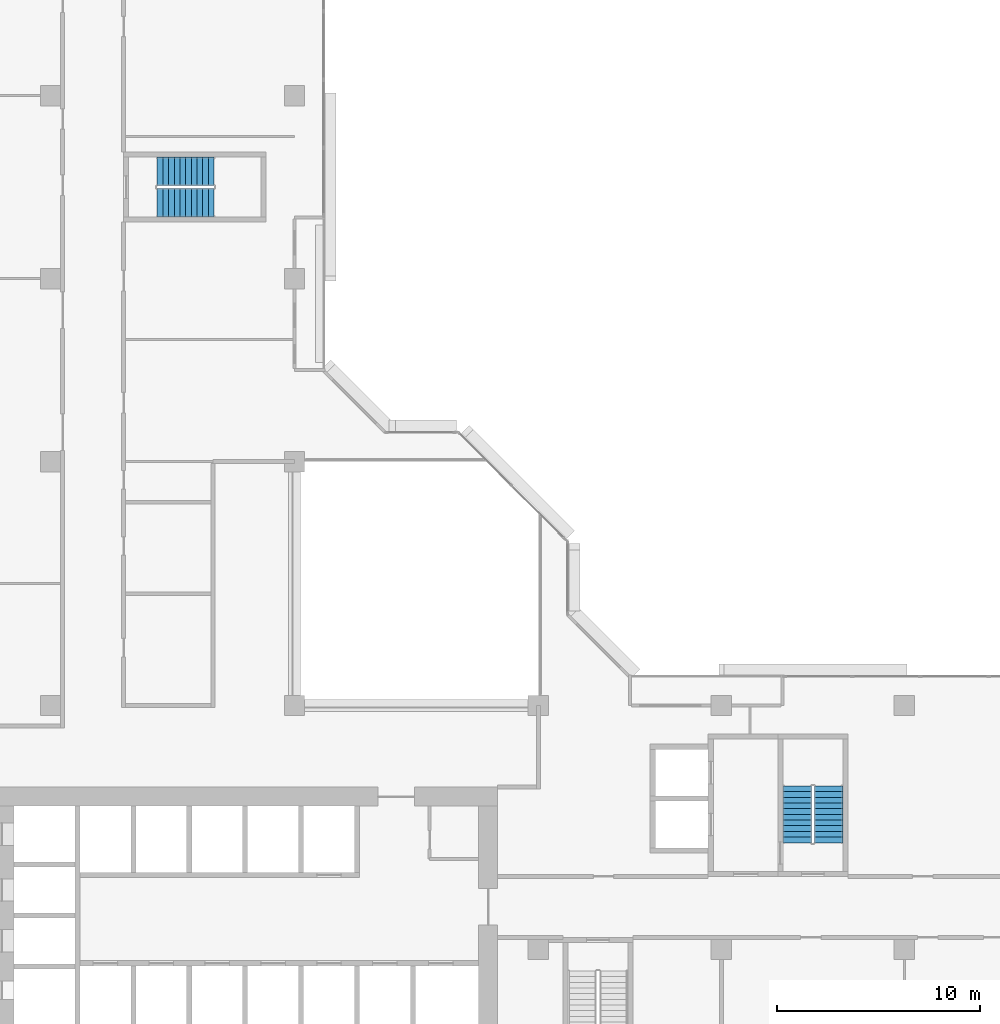
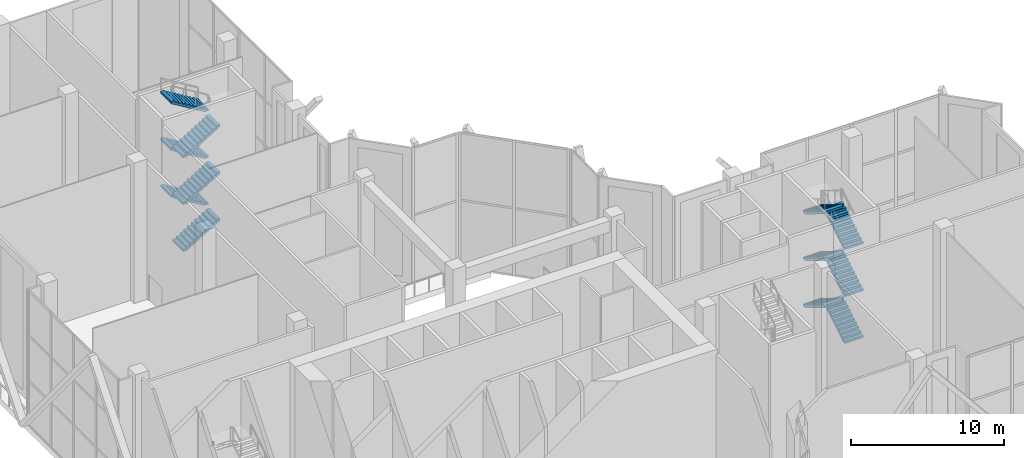
# One storey, part 17 of 21: 12 stair flights, 2 elements without a shape of their own.
"""IFC4 building model written with IfcOpenShell, lengths in metres."""

from ifc_helpers import new_model, si_unit, direction, frame, origin, place, context, subcontext, project, spatial, polyline, outline, extrude, material, type_object, element, aggregate, save


model = new_model("IFC4")

# Units and contexts
model_context = context("Model", 3, precision=1e-05, world=origin(), true_north=direction((0.0, 1.0)))
body_context = subcontext(model_context, "Body", "Model", "MODEL_VIEW")
ifc_project = project(units=[si_unit("LENGTHUNIT", "METRE"), si_unit("AREAUNIT", "SQUARE_METRE"), si_unit("VOLUMEUNIT", "CUBIC_METRE"), si_unit("PLANEANGLEUNIT", "RADIAN"), si_unit("MASSUNIT", "GRAM", prefix="KILO")], contexts=[model_context])

# Site, building, storey
site_placement = place(None, origin())
site = spatial("IfcSite", under=ifc_project, at=site_placement, CompositionType="ELEMENT")
building_placement = place(site_placement, origin())
building = spatial("IfcBuilding", under=site, at=building_placement, Name="Chenar Terraces", CompositionType="ELEMENT")
storey_placement = place(building_placement, frame((0.0, 0.0, 146.14990234375)))
storey = spatial("IfcBuildingStorey", under=building, at=storey_placement, Name="L34", CompositionType="ELEMENT", Elevation=146.14990234375)

# Stair, stair flights
ifc_material_1 = material(Name="Reinforced concrete C40/50", Category="concrete")
stair_type = type_object("IfcStairType", Name="Core stair 1400 half-turn", PredefinedType="HALF_TURN_STAIR", material=ifc_material_1)
placement = place(storey_placement, origin())
stair_1 = element("IfcStair", 1, at=placement, inside=storey, type_object=stair_type, Name="L34 Stair 3", PredefinedType="HALF_TURN_STAIR")
ifc_material_2 = material(Name="Reinforced concrete C40/50", Category="concrete")
stair_flight_type = type_object("IfcStairFlightType", Name="Core stair flight 1400", PredefinedType="STRAIGHT", material=ifc_material_2)
stair_flight_1_placement = place(storey_placement, frame((50.27490234375, 17.25, 0.0), z_axis=(0.0, 0.0, 1.0), x_axis=(0.0, 1.0, 0.0)))
stair_flight_1 = element("IfcStairFlight", 2, at=stair_flight_1_placement, type_object=stair_flight_type, Name="ST3 flight 1", NumberOfRisers=11, NumberOfTreads=10, PredefinedType="STRAIGHT", RiserHeight=0.170454545, TreadLength=0.28, context=body_context, shape_type="SweptSolid", body=[
    extrude(outline(polyline([(-0.0029296875, 0.0), (-0.0029296875, 0.17041015625), (0.0, 0.17041015625), (0.280029296875, 0.17041015625), (0.280029296875, 0.3408203125), (0.56005859375, 0.3408203125), (0.56005859375, 0.511474609375), (0.840087890625, 0.511474609375), (0.840087890625, 0.681884765625), (1.1201171875, 0.681884765625), (1.1201171875, 0.852294921875), (1.39990234375, 0.852294921875), (1.39990234375, 1.022705078125), (1.679931640625, 1.022705078125), (1.679931640625, 1.193115234375), (1.9599609375, 1.193115234375), (1.9599609375, 1.363525390625), (2.239990234375, 1.363525390625), (2.239990234375, 1.5341796875), (2.52001953125, 1.5341796875), (2.52001953125, 1.70458984375), (2.800048828125, 1.70458984375), (2.802978515625, 1.70458984375), (2.802978515625, 1.529052734375), (2.800048828125, 1.529052734375), (0.288330078125, 0.0), (-0.0029296875, 0.0)])), frame((0.0, 0.699951171875, 0.0), z_axis=(0.0, -1.0, 0.0), x_axis=(1.0, 0.0, 0.0)), (0.0, 0.0, 1.0), 1.39990234375),
])
stair_flight_2_placement = place(storey_placement, frame((48.72509765625, 20.050048828125, 1.875), z_axis=(0.0, 0.0, 1.0), x_axis=(0.0, -1.0, 0.0)))
stair_flight_2 = element("IfcStairFlight", 3, at=stair_flight_2_placement, type_object=stair_flight_type, Name="ST3 flight 2", NumberOfRisers=11, NumberOfTreads=10, PredefinedType="STRAIGHT", RiserHeight=0.170454545, TreadLength=0.28, context=body_context, shape_type="SweptSolid", body=[
    extrude(outline(polyline([(-0.0029296875, 0.0), (-0.0029296875, 0.17041015625), (0.0, 0.17041015625), (0.280029296875, 0.17041015625), (0.280029296875, 0.3408203125), (0.56005859375, 0.3408203125), (0.56005859375, 0.511474609375), (0.840087890625, 0.511474609375), (0.840087890625, 0.681884765625), (1.1201171875, 0.681884765625), (1.1201171875, 0.852294921875), (1.39990234375, 0.852294921875), (1.39990234375, 1.022705078125), (1.679931640625, 1.022705078125), (1.679931640625, 1.193115234375), (1.9599609375, 1.193115234375), (1.9599609375, 1.363525390625), (2.239990234375, 1.363525390625), (2.239990234375, 1.5341796875), (2.52001953125, 1.5341796875), (2.52001953125, 1.70458984375), (2.800048828125, 1.70458984375), (2.802978515625, 1.70458984375), (2.802978515625, 1.529052734375), (2.800048828125, 1.529052734375), (0.288330078125, 0.0), (-0.0029296875, 0.0)])), frame((0.0, 0.699951171875, 0.0), z_axis=(0.0, -1.0, 0.0), x_axis=(1.0, 0.0, 0.0)), (0.0, 0.0, 1.0), 1.39990234375),
])
stair_flight_3_placement = place(storey_placement, frame((50.27490234375, 17.25, 3.75), z_axis=(0.0, 0.0, 1.0), x_axis=(0.0, 1.0, 0.0)))
stair_flight_3 = element("IfcStairFlight", 4, at=stair_flight_3_placement, type_object=stair_flight_type, Name="ST3 flight 3", NumberOfRisers=11, NumberOfTreads=10, PredefinedType="STRAIGHT", RiserHeight=0.170454545, TreadLength=0.28, context=body_context, shape_type="SweptSolid", body=[
    extrude(outline(polyline([(-0.0029296875, 0.0), (-0.0029296875, 0.17041015625), (0.0, 0.17041015625), (0.280029296875, 0.17041015625), (0.280029296875, 0.3408203125), (0.56005859375, 0.3408203125), (0.56005859375, 0.511474609375), (0.840087890625, 0.511474609375), (0.840087890625, 0.681884765625), (1.1201171875, 0.681884765625), (1.1201171875, 0.852294921875), (1.39990234375, 0.852294921875), (1.39990234375, 1.022705078125), (1.679931640625, 1.022705078125), (1.679931640625, 1.193115234375), (1.9599609375, 1.193115234375), (1.9599609375, 1.363525390625), (2.239990234375, 1.363525390625), (2.239990234375, 1.5341796875), (2.52001953125, 1.5341796875), (2.52001953125, 1.70458984375), (2.800048828125, 1.70458984375), (2.802978515625, 1.70458984375), (2.802978515625, 1.529052734375), (2.800048828125, 1.529052734375), (0.288330078125, 0.0), (-0.0029296875, 0.0)])), frame((0.0, 0.699951171875, 0.0), z_axis=(0.0, -1.0, 0.0), x_axis=(1.0, 0.0, 0.0)), (0.0, 0.0, 1.0), 1.39990234375),
])
stair_flight_4_placement = place(storey_placement, frame((48.72509765625, 20.050048828125, 5.625), z_axis=(0.0, 0.0, 1.0), x_axis=(0.0, -1.0, 0.0)))
stair_flight_4 = element("IfcStairFlight", 5, at=stair_flight_4_placement, type_object=stair_flight_type, Name="ST3 flight 4", NumberOfRisers=11, NumberOfTreads=10, PredefinedType="STRAIGHT", RiserHeight=0.170454545, TreadLength=0.28, context=body_context, shape_type="SweptSolid", body=[
    extrude(outline(polyline([(-0.0029296875, 0.0), (-0.0029296875, 0.17041015625), (0.0, 0.17041015625), (0.280029296875, 0.17041015625), (0.280029296875, 0.3408203125), (0.56005859375, 0.3408203125), (0.56005859375, 0.511474609375), (0.840087890625, 0.511474609375), (0.840087890625, 0.681884765625), (1.1201171875, 0.681884765625), (1.1201171875, 0.852294921875), (1.39990234375, 0.852294921875), (1.39990234375, 1.022705078125), (1.679931640625, 1.022705078125), (1.679931640625, 1.193115234375), (1.9599609375, 1.193115234375), (1.9599609375, 1.363525390625), (2.239990234375, 1.363525390625), (2.239990234375, 1.5341796875), (2.52001953125, 1.5341796875), (2.52001953125, 1.70458984375), (2.800048828125, 1.70458984375), (2.802978515625, 1.70458984375), (2.802978515625, 1.529052734375), (2.800048828125, 1.529052734375), (0.288330078125, 0.0), (-0.0029296875, 0.0)])), frame((0.0, 0.699951171875, 0.0), z_axis=(0.0, -1.0, 0.0), x_axis=(1.0, 0.0, 0.0)), (0.0, 0.0, 1.0), 1.39990234375),
])
stair_flight_5_placement = place(storey_placement, frame((50.27490234375, 17.25, 7.5), z_axis=(0.0, 0.0, 1.0), x_axis=(0.0, 1.0, 0.0)))
stair_flight_5 = element("IfcStairFlight", 6, at=stair_flight_5_placement, type_object=stair_flight_type, Name="ST3 flight 5", NumberOfRisers=11, NumberOfTreads=10, PredefinedType="STRAIGHT", RiserHeight=0.170454545, TreadLength=0.28, context=body_context, shape_type="SweptSolid", body=[
    extrude(outline(polyline([(-0.0029296875, 0.0), (-0.0029296875, 0.17041015625), (0.0, 0.17041015625), (0.280029296875, 0.17041015625), (0.280029296875, 0.3408203125), (0.56005859375, 0.3408203125), (0.56005859375, 0.511474609375), (0.840087890625, 0.511474609375), (0.840087890625, 0.681884765625), (1.1201171875, 0.681884765625), (1.1201171875, 0.852294921875), (1.39990234375, 0.852294921875), (1.39990234375, 1.022705078125), (1.679931640625, 1.022705078125), (1.679931640625, 1.193115234375), (1.9599609375, 1.193115234375), (1.9599609375, 1.363525390625), (2.239990234375, 1.363525390625), (2.239990234375, 1.5341796875), (2.52001953125, 1.5341796875), (2.52001953125, 1.70458984375), (2.800048828125, 1.70458984375), (2.802978515625, 1.70458984375), (2.802978515625, 1.529052734375), (2.800048828125, 1.529052734375), (0.288330078125, 0.0), (-0.0029296875, 0.0)])), frame((0.0, 0.699951171875, 0.0), z_axis=(0.0, -1.0, 0.0), x_axis=(1.0, 0.0, 0.0)), (0.0, 0.0, 1.0), 1.39990234375),
])
stair_flight_6_placement = place(storey_placement, frame((48.72509765625, 20.050048828125, 9.375), z_axis=(0.0, 0.0, 1.0), x_axis=(0.0, -1.0, 0.0)))
stair_flight_6 = element("IfcStairFlight", 7, at=stair_flight_6_placement, type_object=stair_flight_type, Name="ST3 flight 6", NumberOfRisers=11, NumberOfTreads=10, PredefinedType="STRAIGHT", RiserHeight=0.170454545, TreadLength=0.28, context=body_context, shape_type="SweptSolid", body=[
    extrude(outline(polyline([(-0.0029296875, 0.0), (-0.0029296875, 0.17041015625), (0.0, 0.17041015625), (0.280029296875, 0.17041015625), (0.280029296875, 0.3408203125), (0.56005859375, 0.3408203125), (0.56005859375, 0.511474609375), (0.840087890625, 0.511474609375), (0.840087890625, 0.681884765625), (1.1201171875, 0.681884765625), (1.1201171875, 0.852294921875), (1.39990234375, 0.852294921875), (1.39990234375, 1.022705078125), (1.679931640625, 1.022705078125), (1.679931640625, 1.193115234375), (1.9599609375, 1.193115234375), (1.9599609375, 1.363525390625), (2.239990234375, 1.363525390625), (2.239990234375, 1.5341796875), (2.52001953125, 1.5341796875), (2.52001953125, 1.70458984375), (2.800048828125, 1.70458984375), (2.802978515625, 1.70458984375), (2.802978515625, 1.529052734375), (2.800048828125, 1.529052734375), (0.288330078125, 0.0), (-0.0029296875, 0.0)])), frame((0.0, 0.699951171875, 0.0), z_axis=(0.0, -1.0, 0.0), x_axis=(1.0, 0.0, 0.0)), (0.0, 0.0, 1.0), 1.39990234375),
])
aggregate(stair_1, [stair_flight_1, stair_flight_2, stair_flight_3, stair_flight_4, stair_flight_5, stair_flight_6])

stair_2 = element("IfcStair", 8, at=placement, inside=storey, type_object=stair_type, Name="L34 Stair 4", PredefinedType="HALF_TURN_STAIR")
stair_flight_7_placement = place(storey_placement, frame((17.25, 48.72509765625, 0.0), z_axis=(0.0, 0.0, 1.0), x_axis=(1.0, 0.0, 0.0)))
stair_flight_7 = element("IfcStairFlight", 9, at=stair_flight_7_placement, type_object=stair_flight_type, Name="ST4 flight 1", NumberOfRisers=11, NumberOfTreads=10, PredefinedType="STRAIGHT", RiserHeight=0.170454545, TreadLength=0.28, context=body_context, shape_type="SweptSolid", body=[
    extrude(outline(polyline([(-0.0029296875, 0.0), (-0.0029296875, 0.17041015625), (0.0, 0.17041015625), (0.280029296875, 0.17041015625), (0.280029296875, 0.3408203125), (0.56005859375, 0.3408203125), (0.56005859375, 0.511474609375), (0.840087890625, 0.511474609375), (0.840087890625, 0.681884765625), (1.1201171875, 0.681884765625), (1.1201171875, 0.852294921875), (1.39990234375, 0.852294921875), (1.39990234375, 1.022705078125), (1.679931640625, 1.022705078125), (1.679931640625, 1.193115234375), (1.9599609375, 1.193115234375), (1.9599609375, 1.363525390625), (2.239990234375, 1.363525390625), (2.239990234375, 1.5341796875), (2.52001953125, 1.5341796875), (2.52001953125, 1.70458984375), (2.800048828125, 1.70458984375), (2.802978515625, 1.70458984375), (2.802978515625, 1.529052734375), (2.800048828125, 1.529052734375), (0.288330078125, 0.0), (-0.0029296875, 0.0)])), frame((0.0, 0.699951171875, 0.0), z_axis=(0.0, -1.0, 0.0), x_axis=(1.0, 0.0, 0.0)), (0.0, 0.0, 1.0), 1.39990234375),
])
stair_flight_8_placement = place(storey_placement, frame((20.050048828125, 50.27490234375, 1.875), z_axis=(0.0, 0.0, 1.0), x_axis=(-1.0, 0.0, 0.0)))
stair_flight_8 = element("IfcStairFlight", 10, at=stair_flight_8_placement, type_object=stair_flight_type, Name="ST4 flight 2", NumberOfRisers=11, NumberOfTreads=10, PredefinedType="STRAIGHT", RiserHeight=0.170454545, TreadLength=0.28, context=body_context, shape_type="SweptSolid", body=[
    extrude(outline(polyline([(-0.0029296875, 0.0), (-0.0029296875, 0.17041015625), (0.0, 0.17041015625), (0.280029296875, 0.17041015625), (0.280029296875, 0.3408203125), (0.56005859375, 0.3408203125), (0.56005859375, 0.511474609375), (0.840087890625, 0.511474609375), (0.840087890625, 0.681884765625), (1.1201171875, 0.681884765625), (1.1201171875, 0.852294921875), (1.39990234375, 0.852294921875), (1.39990234375, 1.022705078125), (1.679931640625, 1.022705078125), (1.679931640625, 1.193115234375), (1.9599609375, 1.193115234375), (1.9599609375, 1.363525390625), (2.239990234375, 1.363525390625), (2.239990234375, 1.5341796875), (2.52001953125, 1.5341796875), (2.52001953125, 1.70458984375), (2.800048828125, 1.70458984375), (2.802978515625, 1.70458984375), (2.802978515625, 1.529052734375), (2.800048828125, 1.529052734375), (0.288330078125, 0.0), (-0.0029296875, 0.0)])), frame((0.0, 0.699951171875, 0.0), z_axis=(0.0, -1.0, 0.0), x_axis=(1.0, 0.0, 0.0)), (0.0, 0.0, 1.0), 1.39990234375),
])
stair_flight_9_placement = place(storey_placement, frame((17.25, 48.72509765625, 3.75), z_axis=(0.0, 0.0, 1.0), x_axis=(1.0, 0.0, 0.0)))
stair_flight_9 = element("IfcStairFlight", 11, at=stair_flight_9_placement, type_object=stair_flight_type, Name="ST4 flight 3", NumberOfRisers=11, NumberOfTreads=10, PredefinedType="STRAIGHT", RiserHeight=0.170454545, TreadLength=0.28, context=body_context, shape_type="SweptSolid", body=[
    extrude(outline(polyline([(-0.0029296875, 0.0), (-0.0029296875, 0.17041015625), (0.0, 0.17041015625), (0.280029296875, 0.17041015625), (0.280029296875, 0.3408203125), (0.56005859375, 0.3408203125), (0.56005859375, 0.511474609375), (0.840087890625, 0.511474609375), (0.840087890625, 0.681884765625), (1.1201171875, 0.681884765625), (1.1201171875, 0.852294921875), (1.39990234375, 0.852294921875), (1.39990234375, 1.022705078125), (1.679931640625, 1.022705078125), (1.679931640625, 1.193115234375), (1.9599609375, 1.193115234375), (1.9599609375, 1.363525390625), (2.239990234375, 1.363525390625), (2.239990234375, 1.5341796875), (2.52001953125, 1.5341796875), (2.52001953125, 1.70458984375), (2.800048828125, 1.70458984375), (2.802978515625, 1.70458984375), (2.802978515625, 1.529052734375), (2.800048828125, 1.529052734375), (0.288330078125, 0.0), (-0.0029296875, 0.0)])), frame((0.0, 0.699951171875, 0.0), z_axis=(0.0, -1.0, 0.0), x_axis=(1.0, 0.0, 0.0)), (0.0, 0.0, 1.0), 1.39990234375),
])
stair_flight_10_placement = place(storey_placement, frame((20.050048828125, 50.27490234375, 5.625), z_axis=(0.0, 0.0, 1.0), x_axis=(-1.0, 0.0, 0.0)))
stair_flight_10 = element("IfcStairFlight", 12, at=stair_flight_10_placement, type_object=stair_flight_type, Name="ST4 flight 4", NumberOfRisers=11, NumberOfTreads=10, PredefinedType="STRAIGHT", RiserHeight=0.170454545, TreadLength=0.28, context=body_context, shape_type="SweptSolid", body=[
    extrude(outline(polyline([(-0.0029296875, 0.0), (-0.0029296875, 0.17041015625), (0.0, 0.17041015625), (0.280029296875, 0.17041015625), (0.280029296875, 0.3408203125), (0.56005859375, 0.3408203125), (0.56005859375, 0.511474609375), (0.840087890625, 0.511474609375), (0.840087890625, 0.681884765625), (1.1201171875, 0.681884765625), (1.1201171875, 0.852294921875), (1.39990234375, 0.852294921875), (1.39990234375, 1.022705078125), (1.679931640625, 1.022705078125), (1.679931640625, 1.193115234375), (1.9599609375, 1.193115234375), (1.9599609375, 1.363525390625), (2.239990234375, 1.363525390625), (2.239990234375, 1.5341796875), (2.52001953125, 1.5341796875), (2.52001953125, 1.70458984375), (2.800048828125, 1.70458984375), (2.802978515625, 1.70458984375), (2.802978515625, 1.529052734375), (2.800048828125, 1.529052734375), (0.288330078125, 0.0), (-0.0029296875, 0.0)])), frame((0.0, 0.699951171875, 0.0), z_axis=(0.0, -1.0, 0.0), x_axis=(1.0, 0.0, 0.0)), (0.0, 0.0, 1.0), 1.39990234375),
])
stair_flight_11_placement = place(storey_placement, frame((17.25, 48.72509765625, 7.5), z_axis=(0.0, 0.0, 1.0), x_axis=(1.0, 0.0, 0.0)))
stair_flight_11 = element("IfcStairFlight", 13, at=stair_flight_11_placement, type_object=stair_flight_type, Name="ST4 flight 5", NumberOfRisers=11, NumberOfTreads=10, PredefinedType="STRAIGHT", RiserHeight=0.170454545, TreadLength=0.28, context=body_context, shape_type="SweptSolid", body=[
    extrude(outline(polyline([(-0.0029296875, 0.0), (-0.0029296875, 0.17041015625), (0.0, 0.17041015625), (0.280029296875, 0.17041015625), (0.280029296875, 0.3408203125), (0.56005859375, 0.3408203125), (0.56005859375, 0.511474609375), (0.840087890625, 0.511474609375), (0.840087890625, 0.681884765625), (1.1201171875, 0.681884765625), (1.1201171875, 0.852294921875), (1.39990234375, 0.852294921875), (1.39990234375, 1.022705078125), (1.679931640625, 1.022705078125), (1.679931640625, 1.193115234375), (1.9599609375, 1.193115234375), (1.9599609375, 1.363525390625), (2.239990234375, 1.363525390625), (2.239990234375, 1.5341796875), (2.52001953125, 1.5341796875), (2.52001953125, 1.70458984375), (2.800048828125, 1.70458984375), (2.802978515625, 1.70458984375), (2.802978515625, 1.529052734375), (2.800048828125, 1.529052734375), (0.288330078125, 0.0), (-0.0029296875, 0.0)])), frame((0.0, 0.699951171875, 0.0), z_axis=(0.0, -1.0, 0.0), x_axis=(1.0, 0.0, 0.0)), (0.0, 0.0, 1.0), 1.39990234375),
])
stair_flight_12_placement = place(storey_placement, frame((20.050048828125, 50.27490234375, 9.375), z_axis=(0.0, 0.0, 1.0), x_axis=(-1.0, 0.0, 0.0)))
stair_flight_12 = element("IfcStairFlight", 14, at=stair_flight_12_placement, type_object=stair_flight_type, Name="ST4 flight 6", NumberOfRisers=11, NumberOfTreads=10, PredefinedType="STRAIGHT", RiserHeight=0.170454545, TreadLength=0.28, context=body_context, shape_type="SweptSolid", body=[
    extrude(outline(polyline([(-0.0029296875, 0.0), (-0.0029296875, 0.17041015625), (0.0, 0.17041015625), (0.280029296875, 0.17041015625), (0.280029296875, 0.3408203125), (0.56005859375, 0.3408203125), (0.56005859375, 0.511474609375), (0.840087890625, 0.511474609375), (0.840087890625, 0.681884765625), (1.1201171875, 0.681884765625), (1.1201171875, 0.852294921875), (1.39990234375, 0.852294921875), (1.39990234375, 1.022705078125), (1.679931640625, 1.022705078125), (1.679931640625, 1.193115234375), (1.9599609375, 1.193115234375), (1.9599609375, 1.363525390625), (2.239990234375, 1.363525390625), (2.239990234375, 1.5341796875), (2.52001953125, 1.5341796875), (2.52001953125, 1.70458984375), (2.800048828125, 1.70458984375), (2.802978515625, 1.70458984375), (2.802978515625, 1.529052734375), (2.800048828125, 1.529052734375), (0.288330078125, 0.0), (-0.0029296875, 0.0)])), frame((0.0, 0.699951171875, 0.0), z_axis=(0.0, -1.0, 0.0), x_axis=(1.0, 0.0, 0.0)), (0.0, 0.0, 1.0), 1.39990234375),
])
aggregate(stair_2, [stair_flight_7, stair_flight_8, stair_flight_9, stair_flight_10, stair_flight_11, stair_flight_12])

save(model, "model.ifc")
